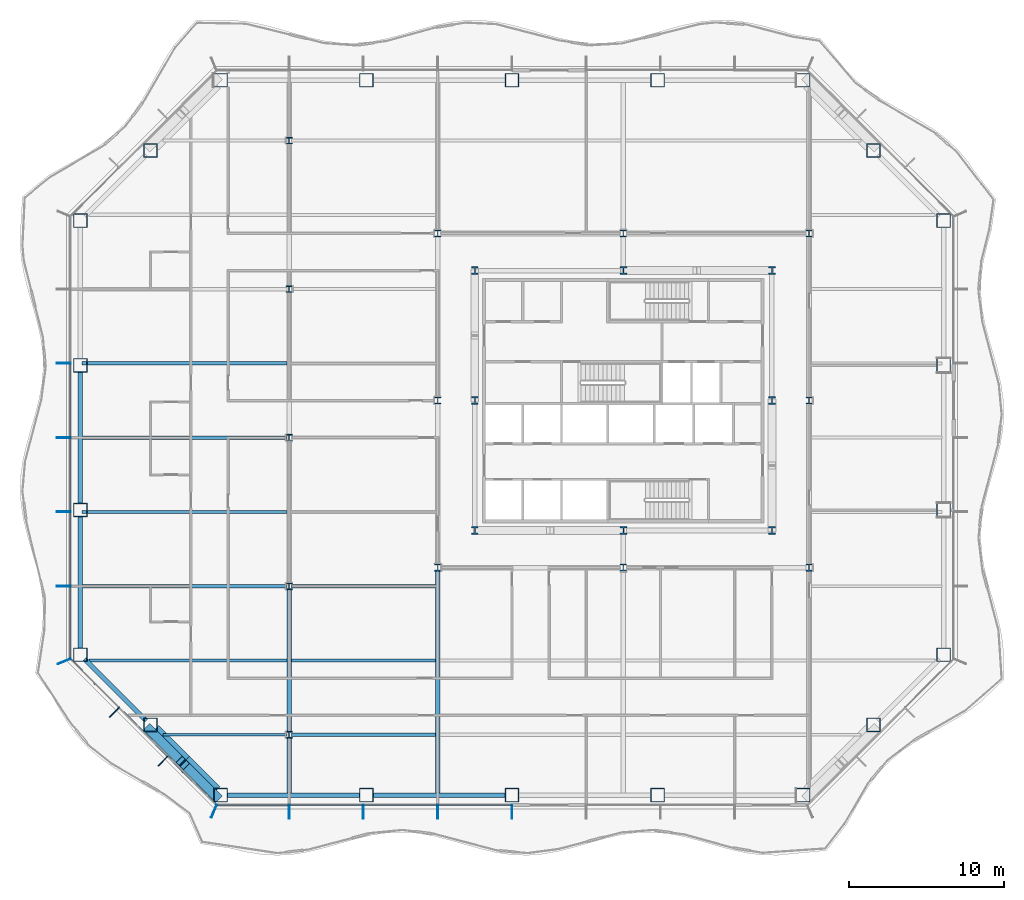
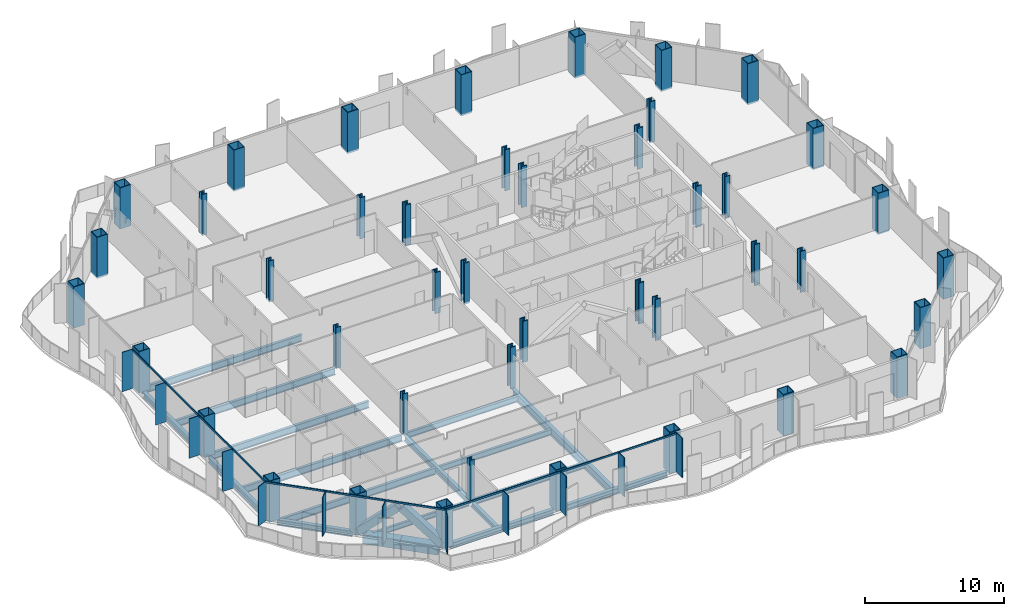
# One storey, part 1 of 18: 43 columns, 25 members, 19 beams, 3 elements without a shape of their own.
"""IFC4 building model written with IfcOpenShell, lengths in metres."""

from ifc_helpers import new_model, si_unit, direction, frame, origin, origin_2d, place, context, subcontext, project, spatial, rectangle, hollow_rectangle, i_section, extrude, material, material_profile, profile_set, type_object, element, aggregate, save


model = new_model("IFC4")

# Units and contexts
model_context = context("Model", 3, precision=1e-05, world=origin(), true_north=direction((0.0, 1.0)))
body_context = subcontext(model_context, "Body", "Model", "MODEL_VIEW")
ifc_project = project(units=[si_unit("LENGTHUNIT", "METRE"), si_unit("AREAUNIT", "SQUARE_METRE"), si_unit("VOLUMEUNIT", "CUBIC_METRE"), si_unit("PLANEANGLEUNIT", "RADIAN"), si_unit("MASSUNIT", "GRAM", prefix="KILO")], contexts=[model_context])

# Site, building, storey
site_placement = place(None, origin())
site = spatial("IfcSite", under=ifc_project, at=site_placement, CompositionType="ELEMENT")
building_placement = place(site_placement, origin())
building = spatial("IfcBuilding", under=site, at=building_placement, Name="Cairn Pilgrim Tower", CompositionType="ELEMENT")
storey_placement = place(building_placement, frame((0.0, 0.0, 72.60009765625)))
storey = spatial("IfcBuildingStorey", under=building, at=storey_placement, Name="L16", CompositionType="ELEMENT", Elevation=72.60009765625)

# Columns
ifc_material_1 = material(Name="Structural steel S460M", Category="steel")
ifc_material_profile_1 = material_profile(ifc_material_1, hollow_rectangle(XDim=0.89990234375, YDim=0.89990234375, WallThickness=0.050048828125, at=origin_2d()), Name="BOX 900x900x50")
ifc_profile_set_1 = profile_set([ifc_material_profile_1], Name="Structural steel S460M")
column_type_1 = type_object("IfcColumnType", Name="BOX 900x900x50", PredefinedType="COLUMN", material=ifc_profile_set_1)
for number, where, z_axis, x_axis, name in (
    (1, (-18.8271484375, -23.10009765625, -0.150146484375), (0.0, 0.0, 1.0), (1.0, 0.0, 0.0), "PC1-S1"),
    (2, (-9.41357421875, -23.10009765625, -0.150146484375), (0.0, 0.0, 1.0), (1.0, 0.0, 0.0), "PC1-S2"),
    (3, (0.0, -23.10009765625, -0.150146484375), (0.0, 0.0, 1.0), (1.0, 0.0, 0.0), "PC1-S3"),
    (4, (9.41357421875, -23.10009765625, -0.150146484375), (0.0, 0.0, 1.0), (1.0, 0.0, 0.0), "PC1-S4"),
    (5, (18.8271484375, -23.10009765625, -0.150146484375), (0.0, 0.0, 1.0), (1.0, 0.0, 0.0), "PC1-SE1"),
    (6, (23.363525390625, -18.563720703125, -0.150146484375), (0.0, 0.0, 1.0), (1.0, 0.0, 0.0), "PC1-SE2"),
    (7, (27.89990234375, -14.027099609375, -0.150146484375), (0.0, 0.0, 1.0), (1.0, 0.0, 0.0), "PC1-E1"),
    (8, (27.89990234375, -4.67578125, -0.150146484375), (0.0, 0.0, 1.0), (1.0, 0.0, 0.0), "PC1-E2"),
    (9, (27.89990234375, 4.67578125, -0.150146484375), (0.0, 0.0, 1.0), (1.0, 0.0, 0.0), "PC1-E3"),
    (10, (27.89990234375, 14.027099609375, -0.150146484375), (0.0, 0.0, 1.0), (1.0, 0.0, 0.0), "PC1-NE1"),
    (11, (23.363525390625, 18.563720703125, -0.150146484375), (0.0, 0.0, 1.0), (1.0, 0.0, 0.0), "PC1-NE2"),
    (12, (18.8271484375, 23.10009765625, -0.150146484375), (0.0, 0.0, 1.0), (1.0, 0.0, 0.0), "PC1-N1"),
    (13, (9.41357421875, 23.10009765625, -0.150146484375), (0.0, 0.0, 1.0), (1.0, 0.0, 0.0), "PC1-N2"),
    (14, (0.0, 23.10009765625, -0.150146484375), (0.0, 0.0, 1.0), (1.0, 0.0, 0.0), "PC1-N3"),
    (15, (-9.41357421875, 23.10009765625, -0.150146484375), (0.0, 0.0, 1.0), (1.0, 0.0, 0.0), "PC1-N4"),
    (16, (-18.8271484375, 23.10009765625, -0.150146484375), (0.0, 0.0, 1.0), (1.0, 0.0, 0.0), "PC1-NW1"),
    (17, (-23.363525390625, 18.563720703125, -0.150146484375), (0.0, 0.0, 1.0), (1.0, 0.0, 0.0), "PC1-NW2"),
    (18, (-27.89990234375, 14.027099609375, -0.150146484375), (0.0, 0.0, 1.0), (1.0, 0.0, 0.0), "PC1-W1"),
    (19, (-27.89990234375, 4.67578125, -0.150146484375), (0.0, 0.0, 1.0), (1.0, 0.0, 0.0), "PC1-W2"),
    (20, (-27.89990234375, -4.67578125, -0.150146484375), (0.0, 0.0, 1.0), (1.0, 0.0, 0.0), "PC1-W3"),
    (21, (-27.89990234375, -14.027099609375, -0.150146484375), (0.0, 0.0, 1.0), (1.0, 0.0, 0.0), "PC1-SW1"),
    (22, (-23.363525390625, -18.563720703125, -0.150146484375), (0.0, 0.0, 1.0), (1.0, 0.0, 0.0), "PC1-SW2"),
):
    element("IfcColumn", number, at=place(storey_placement, frame(where, z_axis=z_axis, x_axis=x_axis)), inside=storey, type_object=column_type_1, Name=name, PredefinedType="COLUMN", context=body_context, shape_type="SweptSolid", body=[
        extrude(hollow_rectangle(XDim=0.89990234375, YDim=0.89990234375, WallThickness=0.050048828125, at=origin_2d()), origin(), (0.0, 0.0, 1.0), 3.60009765625),
    ])
ifc_material_profile_2 = material_profile(ifc_material_1, i_section(OverallWidth=0.408935546875, OverallDepth=0.425048828125, WebThickness=0.03271484375, FlangeThickness=0.052490234375, FilletRadius=0.014892578125, at=origin_2d()), Name="HD 400x421")
ifc_profile_set_2 = profile_set([ifc_material_profile_2], Name="Structural steel S460M")
column_type_2 = type_object("IfcColumnType", Name="HD 400x421", PredefinedType="COLUMN", material=ifc_profile_set_2)
for number, where, z_axis, x_axis, name in (
    (23, (-14.39990234375, -19.199951171875, -0.150146484375), (0.0, 0.0, 1.0), (1.0, 0.0, 0.0), "WC-WW-4"),
    (24, (-14.39990234375, -9.60009765625, -0.150146484375), (0.0, 0.0, 1.0), (1.0, 0.0, 0.0), "WC-WW-2"),
    (25, (-14.39990234375, 0.0, -0.150146484375), (0.0, 0.0, 1.0), (1.0, 0.0, 0.0), "WC-WW+0"),
    (26, (-14.39990234375, 9.60009765625, -0.150146484375), (0.0, 0.0, 1.0), (1.0, 0.0, 0.0), "WC-WW+2"),
    (27, (-14.39990234375, 19.199951171875, -0.150146484375), (0.0, 0.0, 1.0), (1.0, 0.0, 0.0), "WC-WW+4"),
):
    element("IfcColumn", number, at=place(storey_placement, frame(where, z_axis=z_axis, x_axis=x_axis)), inside=storey, type_object=column_type_2, Name=name, PredefinedType="COLUMN", context=body_context, shape_type="SweptSolid", body=[
        extrude(i_section(OverallWidth=0.408935546875, OverallDepth=0.425048828125, WebThickness=0.03271484375, FlangeThickness=0.052490234375, FilletRadius=0.014892578125, at=origin_2d()), origin(), (0.0, 0.0, 1.0), 3.60009765625),
    ])
ifc_material_profile_3 = material_profile(ifc_material_1, i_section(OverallWidth=0.424072265625, OverallDepth=0.47412109375, WebThickness=0.047607421875, FlangeThickness=0.0771484375, FilletRadius=0.014892578125, at=origin_2d()), Name="HD 400x634")
ifc_profile_set_3 = profile_set([ifc_material_profile_3], Name="Structural steel S460M")
column_type_3 = type_object("IfcColumnType", Name="HD 400x634", PredefinedType="COLUMN", material=ifc_profile_set_3)
for number, where, z_axis, x_axis, name in (
    (28, (-4.800048828125, -8.39990234375, -0.150146484375), (0.0, 0.0, 1.0), (1.0, 0.0, 0.0), "IC-1"),
    (29, (7.199951171875, -8.39990234375, -0.150146484375), (0.0, 0.0, 1.0), (1.0, 0.0, 0.0), "IC-2"),
    (30, (19.199951171875, -8.39990234375, -0.150146484375), (0.0, 0.0, 1.0), (1.0, 0.0, 0.0), "IC-3"),
    (31, (-4.800048828125, 2.39990234375, -0.150146484375), (0.0, 0.0, 1.0), (1.0, 0.0, 0.0), "IC-4"),
    (32, (19.199951171875, 2.39990234375, -0.150146484375), (0.0, 0.0, 1.0), (1.0, 0.0, 0.0), "IC-5"),
    (33, (-4.800048828125, 13.199951171875, -0.150146484375), (0.0, 0.0, 1.0), (1.0, 0.0, 0.0), "IC-6"),
    (34, (7.199951171875, 13.199951171875, -0.150146484375), (0.0, 0.0, 1.0), (1.0, 0.0, 0.0), "IC-7"),
    (35, (19.199951171875, 13.199951171875, -0.150146484375), (0.0, 0.0, 1.0), (1.0, 0.0, 0.0), "IC-8"),
):
    element("IfcColumn", number, at=place(storey_placement, frame(where, z_axis=z_axis, x_axis=x_axis)), inside=storey, type_object=column_type_3, Name=name, PredefinedType="COLUMN", context=body_context, shape_type="SweptSolid", body=[
        extrude(i_section(OverallWidth=0.424072265625, OverallDepth=0.47412109375, WebThickness=0.047607421875, FlangeThickness=0.0771484375, FilletRadius=0.014892578125, at=origin_2d()), origin(), (0.0, 0.0, 1.0), 3.60009765625),
    ])
ifc_material_profile_4 = material_profile(ifc_material_1, i_section(OverallWidth=0.43701171875, OverallDepth=0.513916015625, WebThickness=0.060546875, FlangeThickness=0.096923828125, FilletRadius=0.014892578125, at=origin_2d()), Name="HD 400x818")
ifc_profile_set_4 = profile_set([ifc_material_profile_4], Name="Structural steel S460M")
column_type_4 = type_object("IfcColumnType", Name="HD 400x818", PredefinedType="COLUMN", material=ifc_profile_set_4)
for number, where, z_axis, x_axis, name in (
    (36, (-2.39990234375, -6.0, -0.150146484375), (0.0, 0.0, 1.0), (1.0, 0.0, 0.0), "KC-1"),
    (37, (7.199951171875, -6.0, -0.150146484375), (0.0, 0.0, 1.0), (1.0, 0.0, 0.0), "KC-2"),
    (38, (16.800048828125, -6.0, -0.150146484375), (0.0, 0.0, 1.0), (1.0, 0.0, 0.0), "KC-3"),
    (39, (-2.39990234375, 2.39990234375, -0.150146484375), (0.0, 0.0, 1.0), (1.0, 0.0, 0.0), "KC-4"),
    (40, (16.800048828125, 2.39990234375, -0.150146484375), (0.0, 0.0, 1.0), (1.0, 0.0, 0.0), "KC-5"),
    (41, (-2.39990234375, 10.800048828125, -0.150146484375), (0.0, 0.0, 1.0), (1.0, 0.0, 0.0), "KC-6"),
    (42, (7.199951171875, 10.800048828125, -0.150146484375), (0.0, 0.0, 1.0), (1.0, 0.0, 0.0), "KC-7"),
    (43, (16.800048828125, 10.800048828125, -0.150146484375), (0.0, 0.0, 1.0), (1.0, 0.0, 0.0), "KC-8"),
):
    element("IfcColumn", number, at=place(storey_placement, frame(where, z_axis=z_axis, x_axis=x_axis)), inside=storey, type_object=column_type_4, Name=name, PredefinedType="COLUMN", context=body_context, shape_type="SweptSolid", body=[
        extrude(i_section(OverallWidth=0.43701171875, OverallDepth=0.513916015625, WebThickness=0.060546875, FlangeThickness=0.096923828125, FilletRadius=0.014892578125, at=origin_2d()), origin(), (0.0, 0.0, 1.0), 3.60009765625),
    ])

# Members
ifc_material_profile_5 = material_profile(ifc_material_1, hollow_rectangle(XDim=0.60009765625, YDim=0.60009765625, WallThickness=0.034912109375, at=origin_2d()), Name="BOX 600x600x35")
ifc_profile_set_5 = profile_set([ifc_material_profile_5], Name="Structural steel S460M")
member_type_1 = type_object("IfcMemberType", Name="BOX 600x600x35 BRACE", PredefinedType="BRACE", material=ifc_profile_set_5)
for number, where, z_axis, x_axis, name in (
    (44, (-23.4873046875, -18.814697265625, 0.14990234375), (0.528939327604, -0.528877844478, 0.663710338426), (0.70706568108, 0.707147878904, 0.0), "XB-SW2-S1-1"),
    (45, (-19.078125, -23.2236328125, 0.14990234375), (-0.52892212789, 0.52892212789, 0.663688756314), (-0.707106781187, -0.707106781187, 0.0), "XB-SW2-S1-2"),
):
    element("IfcMember", number, at=place(storey_placement, frame(where, z_axis=z_axis, x_axis=x_axis)), inside=storey, type_object=member_type_1, Name=name, PredefinedType="BRACE", context=body_context, shape_type="SweptSolid", body=[
        extrude(hollow_rectangle(XDim=0.60009765625, YDim=0.60009765625, WallThickness=0.034912109375, at=origin_2d()), origin(), (0.0, 0.0, 1.0), 3.970947265625),
    ])

# Beams
ifc_material_2 = material(Name="Structural steel S355J2", Category="steel")
ifc_material_profile_6 = material_profile(ifc_material_2, hollow_rectangle(XDim=0.699951171875, YDim=0.800048828125, WallThickness=0.0400390625, at=origin_2d()), Name="BOX 700x800x40")
ifc_profile_set_6 = profile_set([ifc_material_profile_6], Name="Structural steel S355J2")
beam_type_1 = type_object("IfcBeamType", Name="BOX 700x800x40 RING GIRDER", PredefinedType="SPANDREL", material=ifc_profile_set_6)
beam_1_placement = place(storey_placement, frame((-23.0771484375, -18.85009765625, -0.550048828125), z_axis=(0.707106781187, -0.707106781187, 0.0), x_axis=(0.707106781187, 0.707106781187, 0.0)))
element("IfcBeam", 46, at=beam_1_placement, inside=storey, type_object=beam_type_1, Name="RG1-SW2-S1-1", PredefinedType="SPANDREL", context=body_context, shape_type="SweptSolid", body=[
    extrude(hollow_rectangle(XDim=0.699951171875, YDim=0.800048828125, WallThickness=0.0400390625, at=origin_2d()), origin(), (0.0, 0.0, 1.0), 2.802490234375),
])
beam_2_placement = place(storey_placement, frame((-21.095458984375, -20.831787109375, -0.550048828125), z_axis=(0.707106781187, -0.707106781187, 0.0), x_axis=(0.707106781187, 0.707106781187, 0.0)))
element("IfcBeam", 47, at=beam_2_placement, inside=storey, type_object=beam_type_1, Name="RG1-SW2-S1-2", PredefinedType="SPANDREL", context=body_context, shape_type="SweptSolid", body=[
    extrude(hollow_rectangle(XDim=0.699951171875, YDim=0.800048828125, WallThickness=0.0400390625, at=origin_2d()), origin(), (0.0, 0.0, 1.0), 2.802978515625),
])

# Curtain wall, members
ifc_material_3 = material(Name="Aluminium alloy 6063-T6 bronze anodised with Bronze tinted laminated low-E glass 8+16+8.8", Category="aluminium")
curtain_wall_type_1 = type_object("IfcCurtainWallType", Name="TOWER STICK CURTAIN WALL NS", PredefinedType="NOTDEFINED", material=ifc_material_3)
curtain_wall_1_placement = place(storey_placement, origin())
curtain_wall_1 = element("IfcCurtainWall", 48, at=curtain_wall_1_placement, inside=storey, type_object=curtain_wall_type_1, Name="Tower Stick Curtain Wall Ns S", PredefinedType="NOTDEFINED")
ifc_material_4 = material(Name="Aluminium alloy 6063-T6 bronze anodised", Category="aluminium")
ifc_material_profile_7 = material_profile(ifc_material_4, rectangle(XDim=0.89990234375, YDim=0.06005859375, at=origin_2d()), Name="FIN MULLION 60x900 BRONZE")
ifc_profile_set_7 = profile_set([ifc_material_profile_7], Name="Aluminium alloy 6063-T6 bronze anodised")
member_type_2 = type_object("IfcMemberType", Name="FIN MULLION 60x900 BRONZE", PredefinedType="MULLION", material=ifc_profile_set_7)
member_1_placement = place(storey_placement, frame((-19.257080078125, -24.137939453125, 0.0), z_axis=(0.0, 0.0, 1.0), x_axis=(-0.382683432365, -0.923879532511, 0.0)))
member_1 = element("IfcMember", 49, at=member_1_placement, type_object=member_type_2, Name="Fin mullion S1", PredefinedType="MULLION", context=body_context, shape_type="SweptSolid", body=[
    extrude(rectangle(XDim=0.89990234375, YDim=0.06005859375, at=origin_2d()), origin(), (0.0, 0.0, 1.0), 3.449951171875),
])
member_2_placement = place(storey_placement, frame((-14.39990234375, -24.169921875, 0.0), z_axis=(0.0, 0.0, 1.0), x_axis=(0.0, -1.0, 0.0)))
member_2 = element("IfcMember", 50, at=member_2_placement, type_object=member_type_2, Name="Fin mullion S2", PredefinedType="MULLION", context=body_context, shape_type="SweptSolid", body=[
    extrude(rectangle(XDim=0.89990234375, YDim=0.06005859375, at=origin_2d()), origin(), (0.0, 0.0, 1.0), 3.449951171875),
])
member_3_placement = place(storey_placement, frame((-9.60009765625, -24.169921875, 0.0), z_axis=(0.0, 0.0, 1.0), x_axis=(0.0, -1.0, 0.0)))
member_3 = element("IfcMember", 51, at=member_3_placement, type_object=member_type_2, Name="Fin mullion S3", PredefinedType="MULLION", context=body_context, shape_type="SweptSolid", body=[
    extrude(rectangle(XDim=0.89990234375, YDim=0.06005859375, at=origin_2d()), origin(), (0.0, 0.0, 1.0), 3.449951171875),
])
member_4_placement = place(storey_placement, frame((-4.800048828125, -24.169921875, 0.0), z_axis=(0.0, 0.0, 1.0), x_axis=(0.0, -1.0, 0.0)))
member_4 = element("IfcMember", 52, at=member_4_placement, type_object=member_type_2, Name="Fin mullion S4", PredefinedType="MULLION", context=body_context, shape_type="SweptSolid", body=[
    extrude(rectangle(XDim=0.89990234375, YDim=0.06005859375, at=origin_2d()), origin(), (0.0, 0.0, 1.0), 3.449951171875),
])
member_5_placement = place(storey_placement, frame((0.0, -24.169921875, 0.0), z_axis=(0.0, 0.0, 1.0), x_axis=(0.0, -1.0, 0.0)))
member_5 = element("IfcMember", 53, at=member_5_placement, type_object=member_type_2, Name="Fin mullion S5", PredefinedType="MULLION", context=body_context, shape_type="SweptSolid", body=[
    extrude(rectangle(XDim=0.89990234375, YDim=0.06005859375, at=origin_2d()), origin(), (0.0, 0.0, 1.0), 3.449951171875),
])

curtain_wall_type_2 = type_object("IfcCurtainWallType", Name="TOWER STICK CURTAIN WALL EW", PredefinedType="NOTDEFINED", material=ifc_material_3)
curtain_wall_2_placement = place(storey_placement, origin())
curtain_wall_2 = element("IfcCurtainWall", 54, at=curtain_wall_2_placement, inside=storey, type_object=curtain_wall_type_2, Name="Tower Stick Curtain Wall Ew W", PredefinedType="NOTDEFINED")
member_6_placement = place(storey_placement, frame((-28.969970703125, 4.800048828125, 0.0), z_axis=(0.0, 0.0, 1.0), x_axis=(-1.0, 0.0, 0.0)))
member_6 = element("IfcMember", 55, at=member_6_placement, type_object=member_type_2, Name="Fin mullion W3", PredefinedType="MULLION", context=body_context, shape_type="SweptSolid", body=[
    extrude(rectangle(XDim=0.89990234375, YDim=0.06005859375, at=origin_2d()), origin(), (0.0, 0.0, 1.0), 3.449951171875),
])
member_7_placement = place(storey_placement, frame((-28.969970703125, 0.0, 0.0), z_axis=(0.0, 0.0, 1.0), x_axis=(-1.0, 0.0, 0.0)))
member_7 = element("IfcMember", 56, at=member_7_placement, type_object=member_type_2, Name="Fin mullion W4", PredefinedType="MULLION", context=body_context, shape_type="SweptSolid", body=[
    extrude(rectangle(XDim=0.89990234375, YDim=0.06005859375, at=origin_2d()), origin(), (0.0, 0.0, 1.0), 3.449951171875),
])
member_8_placement = place(storey_placement, frame((-28.969970703125, -4.800048828125, 0.0), z_axis=(0.0, 0.0, 1.0), x_axis=(-1.0, 0.0, 0.0)))
member_8 = element("IfcMember", 57, at=member_8_placement, type_object=member_type_2, Name="Fin mullion W5", PredefinedType="MULLION", context=body_context, shape_type="SweptSolid", body=[
    extrude(rectangle(XDim=0.89990234375, YDim=0.06005859375, at=origin_2d()), origin(), (0.0, 0.0, 1.0), 3.449951171875),
])
member_9_placement = place(storey_placement, frame((-28.969970703125, -9.60009765625, 0.0), z_axis=(0.0, 0.0, 1.0), x_axis=(-1.0, 0.0, 0.0)))
member_9 = element("IfcMember", 58, at=member_9_placement, type_object=member_type_2, Name="Fin mullion W6", PredefinedType="MULLION", context=body_context, shape_type="SweptSolid", body=[
    extrude(rectangle(XDim=0.89990234375, YDim=0.06005859375, at=origin_2d()), origin(), (0.0, 0.0, 1.0), 3.449951171875),
])

curtain_wall_type_3 = type_object("IfcCurtainWallType", Name="CHAMFER CORNER CURTAIN WALL", PredefinedType="NOTDEFINED", material=ifc_material_3)
curtain_wall_3_placement = place(storey_placement, origin())
curtain_wall_3 = element("IfcCurtainWall", 59, at=curtain_wall_3_placement, inside=storey, type_object=curtain_wall_type_3, Name="Chamfer Corner Curtain Wall SW", PredefinedType="NOTDEFINED")
member_10_placement = place(storey_placement, frame((-28.93798828125, -14.457275390625, 0.0), z_axis=(0.0, 0.0, 1.0), x_axis=(-0.923879532511, -0.382683432365, 0.0)))
member_10 = element("IfcMember", 60, at=member_10_placement, type_object=member_type_2, Name="Fin mullion SW1", PredefinedType="MULLION", context=body_context, shape_type="SweptSolid", body=[
    extrude(rectangle(XDim=0.89990234375, YDim=0.06005859375, at=origin_2d()), origin(), (0.0, 0.0, 1.0), 3.449951171875),
])
member_11_placement = place(storey_placement, frame((-25.69580078125, -17.74462890625, 0.0), z_axis=(0.0, 0.0, 1.0), x_axis=(-0.707106781187, -0.707106781187, 0.0)))
member_11 = element("IfcMember", 61, at=member_11_placement, type_object=member_type_2, Name="Fin mullion SW2", PredefinedType="MULLION", context=body_context, shape_type="SweptSolid", body=[
    extrude(rectangle(XDim=0.89990234375, YDim=0.06005859375, at=origin_2d()), origin(), (0.0, 0.0, 1.0), 3.449951171875),
])
member_12_placement = place(storey_placement, frame((-22.544677734375, -20.895751953125, 0.0), z_axis=(0.0, 0.0, 1.0), x_axis=(-0.707106781187, -0.707106781187, 0.0)))
member_12 = element("IfcMember", 62, at=member_12_placement, type_object=member_type_2, Name="Fin mullion SW3", PredefinedType="MULLION", context=body_context, shape_type="SweptSolid", body=[
    extrude(rectangle(XDim=0.89990234375, YDim=0.06005859375, at=origin_2d()), origin(), (0.0, 0.0, 1.0), 3.449951171875),
])

# Beams
ifc_material_profile_8 = material_profile(ifc_material_2, i_section(OverallWidth=0.300048828125, OverallDepth=0.39990234375, WebThickness=0.013427734375, FlangeThickness=0.02392578125, FilletRadius=0.027099609375, at=origin_2d()), Name="HEB 400")
ifc_profile_set_8 = profile_set([ifc_material_profile_8], Name="Structural steel S355J2")
beam_type_2 = type_object("IfcBeamType", Name="HEB 400 GIRDER", PredefinedType="BEAM", material=ifc_profile_set_8)
beam_3_placement = place(storey_placement, frame((-14.39990234375, -22.97998046875, -0.35009765625), z_axis=(0.0, 1.0, 0.0), x_axis=(-1.0, 0.0, 0.0)))
element("IfcBeam", 63, at=beam_3_placement, inside=storey, type_object=beam_type_2, Name="PG1-1", PredefinedType="BEAM", context=body_context, shape_type="SweptSolid", body=[
    extrude(i_section(OverallWidth=0.300048828125, OverallDepth=0.39990234375, WebThickness=0.013427734375, FlangeThickness=0.02392578125, FilletRadius=0.027099609375, at=origin_2d()), origin(), (0.0, 0.0, 1.0), 3.575439453125),
])
ifc_material_profile_9 = material_profile(ifc_material_2, i_section(OverallWidth=0.300048828125, OverallDepth=0.5, WebThickness=0.014404296875, FlangeThickness=0.028076171875, FilletRadius=0.027099609375, at=origin_2d()), Name="HEB 500")
ifc_profile_set_9 = profile_set([ifc_material_profile_9], Name="Structural steel S355J2")
beam_type_3 = type_object("IfcBeamType", Name="HEB 500 GIRDER", PredefinedType="BEAM", material=ifc_profile_set_9)
beam_4_placement = place(storey_placement, frame((-14.39990234375, -18.99560546875, -0.400146484375), z_axis=(0.0, 1.0, 0.0), x_axis=(-1.0, 0.0, 0.0)))
element("IfcBeam", 64, at=beam_4_placement, inside=storey, type_object=beam_type_3, Name="PG1-2", PredefinedType="BEAM", context=body_context, shape_type="SweptSolid", body=[
    extrude(i_section(OverallWidth=0.300048828125, OverallDepth=0.5, WebThickness=0.014404296875, FlangeThickness=0.028076171875, FilletRadius=0.027099609375, at=origin_2d()), origin(), (0.0, 0.0, 1.0), 9.191162109375),
])
ifc_material_profile_10 = material_profile(ifc_material_2, i_section(OverallWidth=0.300048828125, OverallDepth=0.5, WebThickness=0.014404296875, FlangeThickness=0.028076171875, FilletRadius=0.027099609375, at=origin_2d()), Name="HEB 500")
ifc_profile_set_10 = profile_set([ifc_material_profile_10], Name="Structural steel S355J2")
beam_type_4 = type_object("IfcBeamType", Name="HEB 500 RING GIRDER", PredefinedType="SPANDREL", material=ifc_profile_set_10)
for number, where, z_axis, x_axis, name in (
    (65, (-18.422119140625, -23.10009765625, -0.400146484375), (1.0, 0.0, 0.0), (0.0, 1.0, 0.0), "RG1-S1-S2"),
    (66, (-9.008544921875, -23.10009765625, -0.400146484375), (1.0, 0.0, 0.0), (0.0, 1.0, 0.0), "RG1-S2-S3"),
):
    element("IfcBeam", number, at=place(storey_placement, frame(where, z_axis=z_axis, x_axis=x_axis)), inside=storey, type_object=beam_type_4, Name=name, PredefinedType="SPANDREL", context=body_context, shape_type="SweptSolid", body=[
        extrude(i_section(OverallWidth=0.300048828125, OverallDepth=0.5, WebThickness=0.014404296875, FlangeThickness=0.028076171875, FilletRadius=0.027099609375, at=origin_2d()), origin(), (0.0, 0.0, 1.0), 8.603515625),
    ])
for number, where, z_axis, x_axis, name in (
    (67, (-27.89990234375, 4.270751953125, -0.400146484375), (0.0, -1.0, 0.0), (1.0, 0.0, 0.0), "RG1-W2-W3"),
    (68, (-27.89990234375, -5.080810546875, -0.400146484375), (0.0, -1.0, 0.0), (1.0, 0.0, 0.0), "RG1-W3-SW1"),
):
    element("IfcBeam", number, at=place(storey_placement, frame(where, z_axis=z_axis, x_axis=x_axis)), inside=storey, type_object=beam_type_4, Name=name, PredefinedType="SPANDREL", context=body_context, shape_type="SweptSolid", body=[
        extrude(i_section(OverallWidth=0.300048828125, OverallDepth=0.5, WebThickness=0.014404296875, FlangeThickness=0.028076171875, FilletRadius=0.027099609375, at=origin_2d()), origin(), (0.0, 0.0, 1.0), 8.54150390625),
    ])
beam_5_placement = place(storey_placement, frame((-27.613525390625, -14.313720703125, -0.400146484375), z_axis=(0.707128558756, -0.707085002947, 0.0), x_axis=(0.707085002947, 0.707128558756, 0.0)))
element("IfcBeam", 69, at=beam_5_placement, inside=storey, type_object=beam_type_4, Name="RG1-SW1-SW2", PredefinedType="SPANDREL", context=body_context, shape_type="SweptSolid", body=[
    extrude(i_section(OverallWidth=0.300048828125, OverallDepth=0.5, WebThickness=0.014404296875, FlangeThickness=0.028076171875, FilletRadius=0.027099609375, at=origin_2d()), origin(), (0.0, 0.0, 1.0), 5.605224609375),
])
ifc_material_profile_11 = material_profile(ifc_material_2, i_section(OverallWidth=0.300048828125, OverallDepth=0.699951171875, WebThickness=0.01708984375, FlangeThickness=0.031982421875, FilletRadius=0.027099609375, at=origin_2d()), Name="HEB 700")
ifc_profile_set_11 = profile_set([ifc_material_profile_11], Name="Structural steel S355J2")
beam_type_5 = type_object("IfcBeamType", Name="HEB 700 GIRDER", PredefinedType="BEAM", material=ifc_profile_set_11)
beam_6_placement = place(storey_placement, frame((-4.800048828125, -22.97998046875, -0.5), z_axis=(0.0, 1.0, 0.0), x_axis=(-1.0, 0.0, 0.0)))
element("IfcBeam", 70, at=beam_6_placement, inside=storey, type_object=beam_type_5, Name="PG2-1", PredefinedType="BEAM", context=body_context, shape_type="SweptSolid", body=[
    extrude(i_section(OverallWidth=0.300048828125, OverallDepth=0.699951171875, WebThickness=0.01708984375, FlangeThickness=0.031982421875, FilletRadius=0.027099609375, at=origin_2d()), origin(), (0.0, 0.0, 1.0), 14.367919921875),
])
ifc_material_profile_12 = material_profile(ifc_material_2, i_section(OverallWidth=0.18994140625, OverallDepth=0.449951171875, WebThickness=0.009521484375, FlangeThickness=0.0146484375, FilletRadius=0.02099609375, at=origin_2d()), Name="IPE 450")
ifc_profile_set_12 = profile_set([ifc_material_profile_12], Name="Structural steel S355J2")
beam_type_6 = type_object("IfcBeamType", Name="IPE 450 SECONDARY BEAM", PredefinedType="JOIST", material=ifc_profile_set_12)
beam_7_placement = place(storey_placement, frame((-22.545166015625, -19.199951171875, -0.375), z_axis=(1.0, 0.0, 0.0), x_axis=(0.0, 1.0, 0.0)))
element("IfcBeam", 71, at=beam_7_placement, inside=storey, type_object=beam_type_6, Name="SB1-1", PredefinedType="JOIST", context=body_context, shape_type="SweptSolid", body=[
    extrude(i_section(OverallWidth=0.18994140625, OverallDepth=0.449951171875, WebThickness=0.009521484375, FlangeThickness=0.0146484375, FilletRadius=0.02099609375, at=origin_2d()), origin(), (0.0, 0.0, 1.0), 7.9951171875),
])
ifc_material_profile_13 = material_profile(ifc_material_2, i_section(OverallWidth=0.199951171875, OverallDepth=0.5, WebThickness=0.01025390625, FlangeThickness=0.01611328125, FilletRadius=0.02099609375, at=origin_2d()), Name="IPE 500")
ifc_profile_set_13 = profile_set([ifc_material_profile_13], Name="Structural steel S355J2")
beam_type_7 = type_object("IfcBeamType", Name="IPE 500 SECONDARY BEAM", PredefinedType="JOIST", material=ifc_profile_set_13)
for number, where, z_axis, x_axis, name in (
    (72, (-14.25, -19.199951171875, -0.400146484375), (1.0, 0.0, 0.0), (0.0, 1.0, 0.0), "SB1-2"),
    (73, (-14.25, -14.39990234375, -0.400146484375), (1.0, 0.0, 0.0), (0.0, 1.0, 0.0), "SB2-2"),
    (74, (-14.25, -9.60009765625, -0.400146484375), (1.0, 0.0, 0.0), (0.0, 1.0, 0.0), "SB3-2"),
):
    element("IfcBeam", number, at=place(storey_placement, frame(where, z_axis=z_axis, x_axis=x_axis)), inside=storey, type_object=beam_type_7, Name=name, PredefinedType="JOIST", context=body_context, shape_type="SweptSolid", body=[
        extrude(i_section(OverallWidth=0.199951171875, OverallDepth=0.5, WebThickness=0.01025390625, FlangeThickness=0.01611328125, FilletRadius=0.02099609375, at=origin_2d()), origin(), (0.0, 0.0, 1.0), 9.300048828125),
    ])
ifc_material_profile_14 = material_profile(ifc_material_2, i_section(OverallWidth=0.219970703125, OverallDepth=0.60009765625, WebThickness=0.011962890625, FlangeThickness=0.01904296875, FilletRadius=0.02392578125, at=origin_2d()), Name="IPE 600")
ifc_profile_set_14 = profile_set([ifc_material_profile_14], Name="Structural steel S355J2")
beam_type_8 = type_object("IfcBeamType", Name="IPE 600 SECONDARY BEAM", PredefinedType="JOIST", material=ifc_profile_set_14)
beam_8_placement = place(storey_placement, frame((-27.34521484375, -14.39990234375, -0.4501953125), z_axis=(1.0, 0.0, 0.0), x_axis=(0.0, 1.0, 0.0)))
element("IfcBeam", 75, at=beam_8_placement, inside=storey, type_object=beam_type_8, Name="SB2-1", PredefinedType="JOIST", context=body_context, shape_type="SweptSolid", body=[
    extrude(i_section(OverallWidth=0.219970703125, OverallDepth=0.60009765625, WebThickness=0.011962890625, FlangeThickness=0.01904296875, FilletRadius=0.02392578125, at=origin_2d()), origin(), (0.0, 0.0, 1.0), 12.795166015625),
])
for number, where, z_axis, x_axis, name in (
    (76, (-27.780029296875, -9.60009765625, -0.4501953125), (1.0, 0.0, 0.0), (0.0, 1.0, 0.0), "SB3-1"),
    (77, (-27.780029296875, -4.800048828125, -0.4501953125), (1.0, 0.0, 0.0), (0.0, 1.0, 0.0), "SB4-1"),
    (78, (-27.780029296875, 0.0, -0.4501953125), (1.0, 0.0, 0.0), (0.0, 1.0, 0.0), "SB5-1"),
    (79, (-27.780029296875, 4.800048828125, -0.4501953125), (1.0, 0.0, 0.0), (0.0, 1.0, 0.0), "SB6-1"),
):
    element("IfcBeam", number, at=place(storey_placement, frame(where, z_axis=z_axis, x_axis=x_axis)), inside=storey, type_object=beam_type_8, Name=name, PredefinedType="JOIST", context=body_context, shape_type="SweptSolid", body=[
        extrude(i_section(OverallWidth=0.219970703125, OverallDepth=0.60009765625, WebThickness=0.011962890625, FlangeThickness=0.01904296875, FilletRadius=0.02392578125, at=origin_2d()), origin(), (0.0, 0.0, 1.0), 13.22998046875),
    ])

# Member
ifc_material_profile_15 = material_profile(ifc_material_4, rectangle(XDim=0.080078125, YDim=0.14990234375, at=origin_2d()), Name="TRANSOM 80x150 BRONZE")
ifc_profile_set_15 = profile_set([ifc_material_profile_15], Name="Aluminium alloy 6063-T6 bronze anodised")
member_type_3 = type_object("IfcMemberType", Name="TRANSOM 80x150 BRONZE", PredefinedType="USERDEFINED", material=ifc_profile_set_15)
member_13_placement = place(storey_placement, frame((-19.056396484375, -23.75, 3.375), z_axis=(1.0, 0.0, 0.0), x_axis=(0.0, 1.0, 0.0)))
member_13 = element("IfcMember", 80, at=member_13_placement, type_object=member_type_3, Name="Transom S1", ObjectType="TRANSOM", PredefinedType="USERDEFINED", context=body_context, shape_type="SweptSolid", body=[
    extrude(rectangle(XDim=0.080078125, YDim=0.14990234375, at=origin_2d()), origin(), (0.0, 0.0, 1.0), 4.62646484375),
])

member_14_placement = place(storey_placement, frame((-14.3701171875, -23.75, 3.375), z_axis=(1.0, 0.0, 0.0), x_axis=(0.0, 1.0, 0.0)))
member_14 = element("IfcMember", 81, at=member_14_placement, type_object=member_type_3, Name="Transom S2", ObjectType="TRANSOM", PredefinedType="USERDEFINED", context=body_context, shape_type="SweptSolid", body=[
    extrude(rectangle(XDim=0.080078125, YDim=0.14990234375, at=origin_2d()), origin(), (0.0, 0.0, 1.0), 4.740234375),
])

member_15_placement = place(storey_placement, frame((-9.570068359375, -23.75, 3.375), z_axis=(1.0, 0.0, 0.0), x_axis=(0.0, 1.0, 0.0)))
member_15 = element("IfcMember", 82, at=member_15_placement, type_object=member_type_3, Name="Transom S3", ObjectType="TRANSOM", PredefinedType="USERDEFINED", context=body_context, shape_type="SweptSolid", body=[
    extrude(rectangle(XDim=0.080078125, YDim=0.14990234375, at=origin_2d()), origin(), (0.0, 0.0, 1.0), 4.739990234375),
])

member_16_placement = place(storey_placement, frame((-4.77001953125, -23.75, 3.375), z_axis=(1.0, 0.0, 0.0), x_axis=(0.0, 1.0, 0.0)))
member_16 = element("IfcMember", 83, at=member_16_placement, type_object=member_type_3, Name="Transom S4", ObjectType="TRANSOM", PredefinedType="USERDEFINED", context=body_context, shape_type="SweptSolid", body=[
    extrude(rectangle(XDim=0.080078125, YDim=0.14990234375, at=origin_2d()), origin(), (0.0, 0.0, 1.0), 4.739990234375),
])

aggregate(curtain_wall_1, [member_1, member_2, member_3, member_4, member_5, member_13, member_14, member_15, member_16])

member_17_placement = place(storey_placement, frame((-28.550048828125, 4.77001953125, 3.375), z_axis=(0.0, -1.0, 0.0), x_axis=(1.0, 0.0, 0.0)))
member_17 = element("IfcMember", 84, at=member_17_placement, type_object=member_type_3, Name="Transom W3", ObjectType="TRANSOM", PredefinedType="USERDEFINED", context=body_context, shape_type="SweptSolid", body=[
    extrude(rectangle(XDim=0.080078125, YDim=0.14990234375, at=origin_2d()), origin(), (0.0, 0.0, 1.0), 4.739990234375),
])

member_18_placement = place(storey_placement, frame((-28.550048828125, -0.030029296875, 3.375), z_axis=(0.0, -1.0, 0.0), x_axis=(1.0, 0.0, 0.0)))
member_18 = element("IfcMember", 85, at=member_18_placement, type_object=member_type_3, Name="Transom W4", ObjectType="TRANSOM", PredefinedType="USERDEFINED", context=body_context, shape_type="SweptSolid", body=[
    extrude(rectangle(XDim=0.080078125, YDim=0.14990234375, at=origin_2d()), origin(), (0.0, 0.0, 1.0), 4.739990234375),
])

member_19_placement = place(storey_placement, frame((-28.550048828125, -4.830078125, 3.375), z_axis=(0.0, -1.0, 0.0), x_axis=(1.0, 0.0, 0.0)))
member_19 = element("IfcMember", 86, at=member_19_placement, type_object=member_type_3, Name="Transom W5", ObjectType="TRANSOM", PredefinedType="USERDEFINED", context=body_context, shape_type="SweptSolid", body=[
    extrude(rectangle(XDim=0.080078125, YDim=0.14990234375, at=origin_2d()), origin(), (0.0, 0.0, 1.0), 4.739990234375),
])

member_20_placement = place(storey_placement, frame((-28.550048828125, -9.6298828125, 3.375), z_axis=(0.0, -1.0, 0.0), x_axis=(1.0, 0.0, 0.0)))
member_20 = element("IfcMember", 87, at=member_20_placement, type_object=member_type_3, Name="Transom W6", ObjectType="TRANSOM", PredefinedType="USERDEFINED", context=body_context, shape_type="SweptSolid", body=[
    extrude(rectangle(XDim=0.080078125, YDim=0.14990234375, at=origin_2d()), origin(), (0.0, 0.0, 1.0), 4.62646484375),
])

aggregate(curtain_wall_2, [member_6, member_7, member_8, member_9, member_17, member_18, member_19, member_20])

member_21_placement = place(storey_placement, frame((-28.521728515625, -14.32470703125, 3.375), z_axis=(0.707106781187, -0.707106781187, 0.0), x_axis=(0.707106781187, 0.707106781187, 0.0)))
member_21 = element("IfcMember", 88, at=member_21_placement, type_object=member_type_3, Name="Transom SW1", ObjectType="TRANSOM", PredefinedType="USERDEFINED", context=body_context, shape_type="SweptSolid", body=[
    extrude(rectangle(XDim=0.080078125, YDim=0.14990234375, at=origin_2d()), origin(), (0.0, 0.0, 1.0), 4.38671875),
])

member_22_placement = place(storey_placement, frame((-25.377685546875, -17.46875, 3.375), z_axis=(0.707106781187, -0.707106781187, 0.0), x_axis=(0.707106781187, 0.707106781187, 0.0)))
member_22 = element("IfcMember", 89, at=member_22_placement, type_object=member_type_3, Name="Transom SW2", ObjectType="TRANSOM", PredefinedType="USERDEFINED", context=body_context, shape_type="SweptSolid", body=[
    extrude(rectangle(XDim=0.080078125, YDim=0.14990234375, at=origin_2d()), origin(), (0.0, 0.0, 1.0), 4.396728515625),
])

member_23_placement = place(storey_placement, frame((-22.226318359375, -20.6201171875, 3.375), z_axis=(0.707106781187, -0.707106781187, 0.0), x_axis=(0.707106781187, 0.707106781187, 0.0)))
member_23 = element("IfcMember", 90, at=member_23_placement, type_object=member_type_3, Name="Transom SW3", ObjectType="TRANSOM", PredefinedType="USERDEFINED", context=body_context, shape_type="SweptSolid", body=[
    extrude(rectangle(XDim=0.080078125, YDim=0.14990234375, at=origin_2d()), origin(), (0.0, 0.0, 1.0), 4.38623046875),
])

aggregate(curtain_wall_3, [member_10, member_11, member_12, member_21, member_22, member_23])

save(model, "model.ifc")
